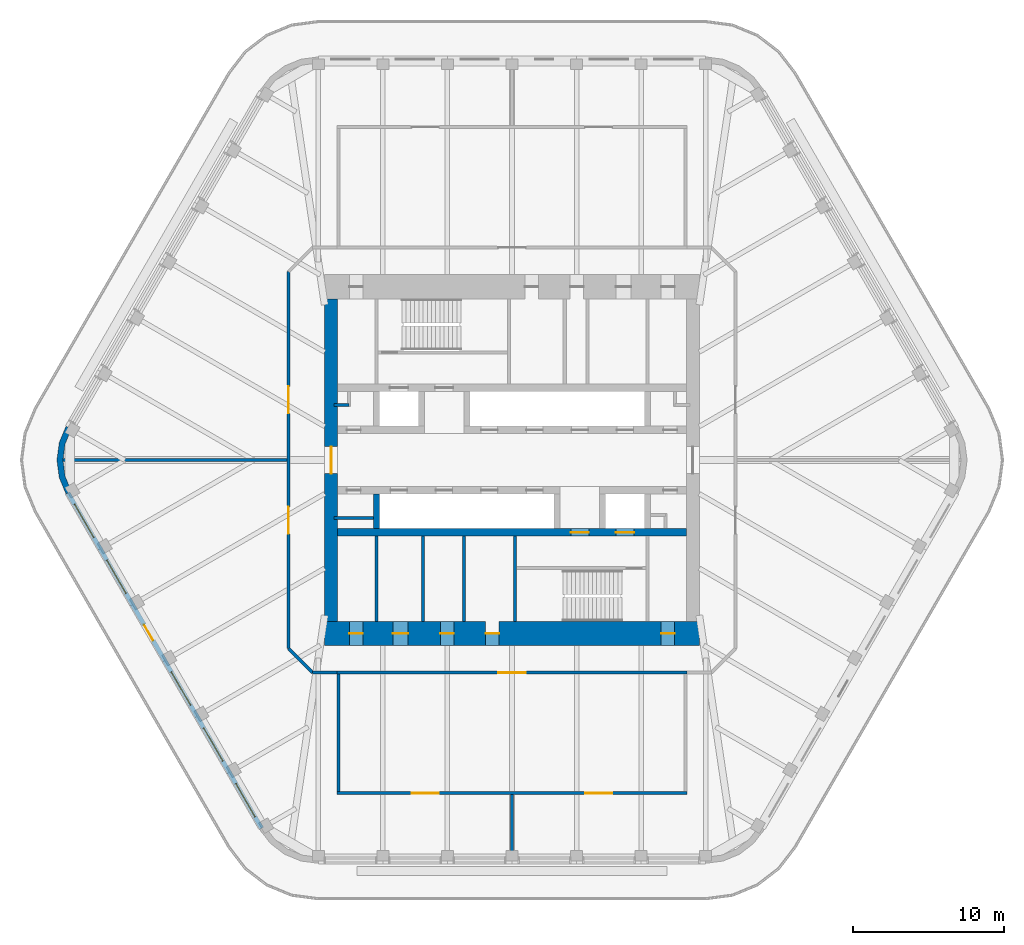
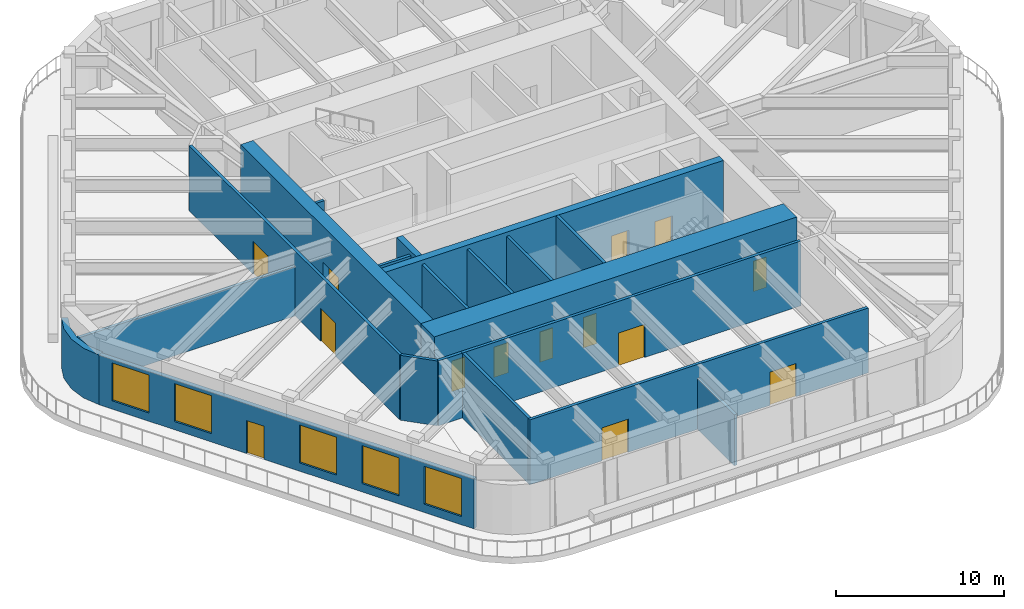
# One storey, part 7 of 13: 20 walls, 14 doors, 5 windows, 19 openings.
"""IFC4 building model written with IfcOpenShell, lengths in metres."""

from ifc_helpers import new_model, si_unit, direction, frame, frame_2d, origin, place, context, subcontext, project, spatial, polyline, rectangle, outline, extrude, material, layer, layer_set, type_object, element, fill, save


model = new_model("IFC4")

# Units and contexts
model_context = context("Model", 3, precision=1e-05, world=origin(), true_north=direction((0.0, 1.0)))
body_context = subcontext(model_context, "Body", "Model", "MODEL_VIEW")
ifc_project = project(units=[si_unit("LENGTHUNIT", "METRE"), si_unit("AREAUNIT", "SQUARE_METRE"), si_unit("VOLUMEUNIT", "CUBIC_METRE"), si_unit("PLANEANGLEUNIT", "RADIAN"), si_unit("MASSUNIT", "GRAM", prefix="KILO")], contexts=[model_context])

# Site, building, storey
site_placement = place(None, origin())
site = spatial("IfcSite", under=ifc_project, at=site_placement, CompositionType="ELEMENT")
building_placement = place(site_placement, origin())
building = spatial("IfcBuilding", under=site, at=building_placement, Name="Tarfa Lantern Tower", CompositionType="ELEMENT")
storey_placement = place(building_placement, frame((0.0, 0.0, 391.300048828125)))
storey = spatial("IfcBuildingStorey", under=building, at=storey_placement, Name="L89", CompositionType="ELEMENT", Elevation=391.300048828125)

# Wall, openings, door, windows
ifc_material_1 = material(Name="Limestone cladding on blockwork", Category="masonry")
ifc_layer_1 = layer(ifc_material_1, 0.300048828125)
ifc_layer_set_1 = layer_set([ifc_layer_1], Name="EW1 STONE-CLAD WALL 300")
wall_type_1 = type_object("IfcWallType", Name="EW1 STONE-CLAD WALL 300", PredefinedType="SOLIDWALL", material=ifc_layer_set_1)
wall_1_placement = place(storey_placement, frame((-29.459228515625, -2.175048828125, 0.0), z_axis=(0.0, 0.0, 1.0), x_axis=(0.499997191038, -0.866027025533, 0.0)))
wall_1 = element("IfcWall", 1, at=wall_1_placement, inside=storey, type_object=wall_type_1, Name="Stone wall SW", PredefinedType="SOLIDWALL", context=body_context, shape_type="SweptSolid", body=[
    extrude(rectangle(XDim=25.692138671875, YDim=0.300048828125, at=frame_2d((12.84619140625, 0.0))), origin(), (0.0, 0.0, 1.0), 3.599853515625),
])
opening_1_placement = place(wall_1_placement, frame((0.865966796875, 0.0, 0.60009765625)))
opening_1 = element("IfcOpeningElement", 2, at=opening_1_placement, cuts=wall_1, Name="Opening W18", PredefinedType="OPENING", context=body_context, shape_type="SweptSolid", body=[
    extrude(rectangle(XDim=2.550048828125, YDim=2.75, at=frame_2d((1.27490234375, 1.375))), frame((0.0, 0.159912109375, 0.0), z_axis=(0.0, -1.0, 0.0), x_axis=(1.0, 0.0, 0.0)), (0.0, 0.0, 1.0), 0.320068359375),
])
opening_2_placement = place(wall_1_placement, frame((5.14794921875, 0.0, 0.60009765625)))
opening_2 = element("IfcOpeningElement", 3, at=opening_2_placement, cuts=wall_1, Name="Opening W18", PredefinedType="OPENING", context=body_context, shape_type="SweptSolid", body=[
    extrude(rectangle(XDim=2.550048828125, YDim=2.75, at=frame_2d((1.27490234375, 1.375))), frame((0.0, 0.159912109375, 0.0), z_axis=(0.0, -1.0, 0.0), x_axis=(1.0, 0.0, 0.0)), (0.0, 0.0, 1.0), 0.320068359375),
])
opening_3_placement = place(wall_1_placement, frame((10.10498046875, 0.0, 0.0)))
opening_3 = element("IfcOpeningElement", 4, at=opening_3_placement, cuts=wall_1, Name="Opening D33", PredefinedType="OPENING", context=body_context, shape_type="SweptSolid", body=[
    extrude(rectangle(XDim=1.199951171875, YDim=2.39990234375, at=frame_2d((0.60009765625, 1.199951171875))), frame((0.0, 0.159912109375, 0.0), z_axis=(0.0, -1.0, 0.0), x_axis=(1.0, 0.0, 0.0)), (0.0, 0.0, 1.0), 0.320068359375),
])
opening_4_placement = place(wall_1_placement, frame((13.712158203125, 0.0, 0.60009765625)))
opening_4 = element("IfcOpeningElement", 5, at=opening_4_placement, cuts=wall_1, Name="Opening W18", PredefinedType="OPENING", context=body_context, shape_type="SweptSolid", body=[
    extrude(rectangle(XDim=2.550048828125, YDim=2.75, at=frame_2d((1.27490234375, 1.375))), frame((0.0, 0.159912109375, 0.0), z_axis=(0.0, -1.0, 0.0), x_axis=(1.0, 0.0, 0.0)), (0.0, 0.0, 1.0), 0.320068359375),
])
opening_5_placement = place(wall_1_placement, frame((17.994140625, 0.0, 0.60009765625)))
opening_5 = element("IfcOpeningElement", 6, at=opening_5_placement, cuts=wall_1, Name="Opening W18", PredefinedType="OPENING", context=body_context, shape_type="SweptSolid", body=[
    extrude(rectangle(XDim=2.550048828125, YDim=2.75, at=frame_2d((1.27490234375, 1.375))), frame((0.0, 0.159912109375, 0.0), z_axis=(0.0, -1.0, 0.0), x_axis=(1.0, 0.0, 0.0)), (0.0, 0.0, 1.0), 0.320068359375),
])
opening_6_placement = place(wall_1_placement, frame((22.276123046875, 0.0, 0.60009765625)))
opening_6 = element("IfcOpeningElement", 7, at=opening_6_placement, cuts=wall_1, Name="Opening W18", PredefinedType="OPENING", context=body_context, shape_type="SweptSolid", body=[
    extrude(rectangle(XDim=2.550048828125, YDim=2.75, at=frame_2d((1.27490234375, 1.375))), frame((0.0, 0.159912109375, 0.0), z_axis=(0.0, -1.0, 0.0), x_axis=(1.0, 0.0, 0.0)), (0.0, 0.0, 1.0), 0.320068359375),
])
ifc_material_2 = material(Name="Aluminium framed glazed door", Category="aluminium")
door_type_1 = type_object("IfcDoorType", Name="BE3 BALCONY DOOR 1200x2400", OperationType="SINGLE_SWING_RIGHT", PredefinedType="DOOR", material=ifc_material_2)
door_1_placement = place(opening_3_placement, origin())
door_1 = element("IfcDoor", 8, at=door_1_placement, inside=storey, type_object=door_type_1, Name="Balcony door SW", OperationType="SINGLE_SWING_RIGHT", OverallHeight=2.39990234375, OverallWidth=1.199951171875, PredefinedType="DOOR", context=body_context, shape_type="SweptSolid", body=[
    extrude(rectangle(XDim=1.199951171875, YDim=2.39990234375, at=frame_2d((0.60009765625, 1.199951171875))), frame((0.0, 0.02490234375, 0.0), z_axis=(0.0, -1.0, 0.0), x_axis=(1.0, 0.0, 0.0)), (0.0, 0.0, 1.0), 0.050048828125),
])
fill(opening_3, door_1)
ifc_material_3 = material(Name="Aluminium frame, double glazed", Category="aluminium")
window_type = type_object("IfcWindowType", Name="W18 FULL-HEIGHT GLAZING 2550x2750", PartitioningType="SINGLE_PANEL", PredefinedType="WINDOW", material=ifc_material_3)
window_1_placement = place(opening_1_placement, origin())
window_1 = element("IfcWindow", 9, at=window_1_placement, inside=storey, type_object=window_type, Name="Window SW 1", OverallHeight=2.75, OverallWidth=2.550048828125, PartitioningType="SINGLE_PANEL", PredefinedType="WINDOW", context=body_context, shape_type="SweptSolid", body=[
    extrude(rectangle(XDim=2.550048828125, YDim=2.75, at=frame_2d((1.27490234375, 1.375))), frame((0.0, 0.030029296875, 0.0), z_axis=(0.0, -1.0, 0.0), x_axis=(1.0, 0.0, 0.0)), (0.0, 0.0, 1.0), 0.06005859375),
])
fill(opening_1, window_1)
window_2_placement = place(opening_2_placement, origin())
window_2 = element("IfcWindow", 10, at=window_2_placement, inside=storey, type_object=window_type, Name="Window SW 2", OverallHeight=2.75, OverallWidth=2.550048828125, PartitioningType="SINGLE_PANEL", PredefinedType="WINDOW", context=body_context, shape_type="SweptSolid", body=[
    extrude(rectangle(XDim=2.550048828125, YDim=2.75, at=frame_2d((1.27490234375, 1.375))), frame((0.0, 0.030029296875, 0.0), z_axis=(0.0, -1.0, 0.0), x_axis=(1.0, 0.0, 0.0)), (0.0, 0.0, 1.0), 0.06005859375),
])
fill(opening_2, window_2)
window_3_placement = place(opening_4_placement, origin())
window_3 = element("IfcWindow", 11, at=window_3_placement, inside=storey, type_object=window_type, Name="Window SW 4", OverallHeight=2.75, OverallWidth=2.550048828125, PartitioningType="SINGLE_PANEL", PredefinedType="WINDOW", context=body_context, shape_type="SweptSolid", body=[
    extrude(rectangle(XDim=2.550048828125, YDim=2.75, at=frame_2d((1.27490234375, 1.375))), frame((0.0, 0.030029296875, 0.0), z_axis=(0.0, -1.0, 0.0), x_axis=(1.0, 0.0, 0.0)), (0.0, 0.0, 1.0), 0.06005859375),
])
fill(opening_4, window_3)
window_4_placement = place(opening_5_placement, origin())
window_4 = element("IfcWindow", 12, at=window_4_placement, inside=storey, type_object=window_type, Name="Window SW 5", OverallHeight=2.75, OverallWidth=2.550048828125, PartitioningType="SINGLE_PANEL", PredefinedType="WINDOW", context=body_context, shape_type="SweptSolid", body=[
    extrude(rectangle(XDim=2.550048828125, YDim=2.75, at=frame_2d((1.27490234375, 1.375))), frame((0.0, 0.030029296875, 0.0), z_axis=(0.0, -1.0, 0.0), x_axis=(1.0, 0.0, 0.0)), (0.0, 0.0, 1.0), 0.06005859375),
])
fill(opening_5, window_4)
window_5_placement = place(opening_6_placement, origin())
window_5 = element("IfcWindow", 13, at=window_5_placement, inside=storey, type_object=window_type, Name="Window SW 6", OverallHeight=2.75, OverallWidth=2.550048828125, PartitioningType="SINGLE_PANEL", PredefinedType="WINDOW", context=body_context, shape_type="SweptSolid", body=[
    extrude(rectangle(XDim=2.550048828125, YDim=2.75, at=frame_2d((1.27490234375, 1.375))), frame((0.0, 0.030029296875, 0.0), z_axis=(0.0, -1.0, 0.0), x_axis=(1.0, 0.0, 0.0)), (0.0, 0.0, 1.0), 0.06005859375),
])
fill(opening_6, window_5)

# Walls
ifc_layer_2 = layer(ifc_material_1, 0.39990234375)
ifc_layer_set_2 = layer_set([ifc_layer_2], Name="EW2 CURVED STONE CORNER 400")
wall_type_2 = type_object("IfcWallType", Name="EW2 CURVED STONE CORNER 400", PredefinedType="SOLIDWALL", material=ifc_layer_set_2)
wall_2_placement = place(storey_placement, origin())
element("IfcWall", 14, at=wall_2_placement, inside=storey, type_object=wall_type_2, Name="Stone corner NW-SW", PredefinedType="SOLIDWALL", context=body_context, shape_type="SweptSolid", body=[
    extrude(outline(polyline([(-29.589111328125, 2.25), (-30.038818359375, 1.164794921875), (-30.192138671875, 0.0), (-30.038818359375, -1.164794921875), (-29.589111328125, -2.25), (-29.24267578125, -2.050048828125), (-29.65234375, -1.061279296875), (-29.7919921875, 0.0), (-29.65234375, 1.061279296875), (-29.24267578125, 2.050048828125), (-29.589111328125, 2.25)])), origin(), (0.0, 0.0, 1.0), 3.599853515625),
])
ifc_material_4 = material(Name="Concrete blockwork", Category="masonry")
ifc_layer_3 = layer(ifc_material_4, 0.199951171875)
ifc_layer_set_3 = layer_set([ifc_layer_3], Name="IW1 BLOCKWORK PARTITION 200 EI 120")
wall_type_3 = type_object("IfcWallType", Name="IW1 BLOCKWORK PARTITION 200 EI 120", PredefinedType="PARTITIONING", material=ifc_layer_set_3)
for number, where, z_axis, x_axis, name in (
    (15, (-9.0, -5.050048828125, 0.0), (0.0, 0.0, 1.0), (0.0, -1.0, 0.0), "Core partition"),
    (16, (-3.199951171875, -5.050048828125, 0.0), (0.0, 0.0, 1.0), (0.0, -1.0, 0.0), "Core partition"),
    (17, (-5.89990234375, -5.050048828125, 0.0), (0.0, 0.0, 1.0), (0.0, -1.0, 0.0), "Core partition"),
):
    element("IfcWall", number, at=place(storey_placement, frame(where, z_axis=z_axis, x_axis=x_axis)), inside=storey, type_object=wall_type_3, Name=name, PredefinedType="PARTITIONING", context=body_context, shape_type="SweptSolid", body=[
        extrude(rectangle(XDim=5.64990234375, YDim=0.199951171875, at=frame_2d((2.824951171875, 0.0))), origin(), (0.0, 0.0, 1.0), 4.699951171875),
    ])
wall_3_placement = place(storey_placement, frame((-11.800048828125, 3.64990234375, 0.0), z_axis=(0.0, 0.0, 1.0), x_axis=(1.0, 0.0, 0.0)))
element("IfcWall", 18, at=wall_3_placement, inside=storey, type_object=wall_type_3, Name="Core partition", PredefinedType="PARTITIONING", context=body_context, shape_type="SweptSolid", body=[
    extrude(rectangle(XDim=1.0, YDim=0.199951171875, at=frame_2d((0.5, 0.0))), origin(), (0.0, 0.0, 1.0), 4.699951171875),
])
wall_4_placement = place(storey_placement, frame((-9.199951171875, -3.85009765625, 0.0), z_axis=(0.0, 0.0, 1.0), x_axis=(-1.0, 0.0, 0.0)))
element("IfcWall", 19, at=wall_4_placement, inside=storey, type_object=wall_type_3, Name="Core partition", PredefinedType="PARTITIONING", context=body_context, shape_type="SweptSolid", body=[
    extrude(rectangle(XDim=2.60009765625, YDim=0.199951171875, at=frame_2d((1.300048828125, 0.0))), origin(), (0.0, 0.0, 1.0), 4.699951171875),
])

# Wall, opening, door
ifc_material_5 = material(Name="Gypsum board on steel studs", Category="steel")
ifc_layer_4 = layer(ifc_material_5, 0.2099609375)
ifc_layer_set_4 = layer_set([ifc_layer_4], Name="IW2 ACOUSTIC PARTITION 200")
wall_type_4 = type_object("IfcWallType", Name="IW2 ACOUSTIC PARTITION 200", PredefinedType="PARTITIONING", material=ifc_layer_set_4)
wall_5_placement = place(storey_placement, frame((11.60009765625, -14.10009765625, 0.0), z_axis=(0.0, 0.0, 1.0), x_axis=(-1.0, 0.0, 0.0)))
wall_5 = element("IfcWall", 20, at=wall_5_placement, inside=storey, type_object=wall_type_4, Name="Partition", PredefinedType="PARTITIONING", context=body_context, shape_type="SweptSolid", body=[
    extrude(rectangle(XDim=23.2001953125, YDim=0.199951171875, at=frame_2d((11.60009765625, 0.0))), origin(), (0.0, 0.0, 1.0), 4.699951171875),
])
opening_7_placement = place(wall_5_placement, frame((10.699951171875, 0.0, 0.0)))
opening_7 = element("IfcOpeningElement", 21, at=opening_7_placement, cuts=wall_5, Name="Opening D22", PredefinedType="OPENING", context=body_context, shape_type="SweptSolid", body=[
    extrude(rectangle(XDim=1.800048828125, YDim=2.39990234375, at=frame_2d((0.89990234375, 1.199951171875))), frame((0.0, 0.10986328125, 0.0), z_axis=(0.0, -1.0, 0.0), x_axis=(1.0, 0.0, 0.0)), (0.0, 0.0, 1.0), 0.219970703125),
])
ifc_material_6 = material(Name="Timber door", Category="wood")
door_type_2 = type_object("IfcDoorType", Name="DR2 ROOM DOOR 1800x2400", OperationType="DOUBLE_DOOR_SINGLE_SWING", PredefinedType="DOOR", material=ifc_material_6)
door_2_placement = place(opening_7_placement, origin())
door_2 = element("IfcDoor", 22, at=door_2_placement, inside=storey, type_object=door_type_2, Name="Executive dining room door", OperationType="DOUBLE_DOOR_SINGLE_SWING", OverallHeight=2.39990234375, OverallWidth=1.800048828125, PredefinedType="DOOR", context=body_context, shape_type="SweptSolid", body=[
    extrude(rectangle(XDim=1.800048828125, YDim=2.39990234375, at=frame_2d((0.89990234375, 1.199951171875))), frame((0.0, 0.02490234375, 0.0), z_axis=(0.0, -1.0, 0.0), x_axis=(1.0, 0.0, 0.0)), (0.0, 0.0, 1.0), 0.050048828125),
])
fill(opening_7, door_2)

# Wall
wall_6_placement = place(storey_placement, frame((-11.5, -14.199951171875, 0.0), z_axis=(0.0, 0.0, 1.0), x_axis=(0.0, -1.0, 0.0)))
element("IfcWall", 23, at=wall_6_placement, inside=storey, type_object=wall_type_4, Name="Partition", PredefinedType="PARTITIONING", context=body_context, shape_type="SweptSolid", body=[
    extrude(rectangle(XDim=7.800048828125, YDim=0.199951171875, at=frame_2d((3.89990234375, 0.0))), origin(), (0.0, 0.0, 1.0), 4.699951171875),
])

# Wall, openings, doors
wall_7_placement = place(storey_placement, frame((11.60009765625, -22.10009765625, 0.0), z_axis=(0.0, 0.0, 1.0), x_axis=(-1.0, 0.0, 0.0)))
wall_7 = element("IfcWall", 24, at=wall_7_placement, inside=storey, type_object=wall_type_4, Name="Partition", PredefinedType="PARTITIONING", context=body_context, shape_type="SweptSolid", body=[
    extrude(rectangle(XDim=23.2001953125, YDim=0.199951171875, at=frame_2d((11.60009765625, 0.0))), origin(), (0.0, 0.0, 1.0), 4.699951171875),
])
opening_8_placement = place(wall_7_placement, frame((4.949951171875, 0.0, 0.0)))
opening_8 = element("IfcOpeningElement", 25, at=opening_8_placement, cuts=wall_7, Name="Opening D25", PredefinedType="OPENING", context=body_context, shape_type="SweptSolid", body=[
    extrude(rectangle(XDim=1.800048828125, YDim=2.39990234375, at=frame_2d((0.89990234375, 1.199951171875))), frame((0.0, 0.10986328125, 0.0), z_axis=(0.0, -1.0, 0.0), x_axis=(1.0, 0.0, 0.0)), (0.0, 0.0, 1.0), 0.219970703125),
])
opening_9_placement = place(wall_7_placement, frame((16.449951171875, 0.0, 0.0)))
opening_9 = element("IfcOpeningElement", 26, at=opening_9_placement, cuts=wall_7, Name="Opening D26", PredefinedType="OPENING", context=body_context, shape_type="SweptSolid", body=[
    extrude(rectangle(XDim=1.800048828125, YDim=2.39990234375, at=frame_2d((0.89990234375, 1.199951171875))), frame((0.0, 0.10986328125, 0.0), z_axis=(0.0, -1.0, 0.0), x_axis=(1.0, 0.0, 0.0)), (0.0, 0.0, 1.0), 0.219970703125),
])
door_3_placement = place(opening_8_placement, frame((1.800048828125, 0.0, 0.0), z_axis=(0.0, 0.0, 1.0), x_axis=(-1.0, 0.0, 0.0)))
door_3 = element("IfcDoor", 27, at=door_3_placement, inside=storey, type_object=door_type_2, Name="Executive dining room door", OperationType="DOUBLE_DOOR_SINGLE_SWING", OverallHeight=2.39990234375, OverallWidth=1.800048828125, PredefinedType="DOOR", context=body_context, shape_type="SweptSolid", body=[
    extrude(rectangle(XDim=1.800048828125, YDim=2.39990234375, at=frame_2d((0.89990234375, 1.199951171875))), frame((0.0, 0.02490234375, 0.0), z_axis=(0.0, -1.0, 0.0), x_axis=(1.0, 0.0, 0.0)), (0.0, 0.0, 1.0), 0.050048828125),
])
fill(opening_8, door_3)
door_4_placement = place(opening_9_placement, frame((1.800048828125, 0.0, 0.0), z_axis=(0.0, 0.0, 1.0), x_axis=(-1.0, 0.0, 0.0)))
door_4 = element("IfcDoor", 28, at=door_4_placement, inside=storey, type_object=door_type_2, Name="Executive dining room door", OperationType="DOUBLE_DOOR_SINGLE_SWING", OverallHeight=2.39990234375, OverallWidth=1.800048828125, PredefinedType="DOOR", context=body_context, shape_type="SweptSolid", body=[
    extrude(rectangle(XDim=1.800048828125, YDim=2.39990234375, at=frame_2d((0.89990234375, 1.199951171875))), frame((0.0, 0.02490234375, 0.0), z_axis=(0.0, -1.0, 0.0), x_axis=(1.0, 0.0, 0.0)), (0.0, 0.0, 1.0), 0.050048828125),
])
fill(opening_9, door_4)

# Walls
wall_8_placement = place(storey_placement, frame((-11.60009765625, -14.10009765625, 0.0), z_axis=(0.0, 0.0, 1.0), x_axis=(-1.0, 0.0, 0.0)))
element("IfcWall", 29, at=wall_8_placement, inside=storey, type_object=wall_type_4, Name="Partition", PredefinedType="PARTITIONING", context=body_context, shape_type="SweptSolid", body=[
    extrude(rectangle(XDim=1.625, YDim=0.199951171875, at=frame_2d((0.8125, 0.0))), origin(), (0.0, 0.0, 1.0), 4.699951171875),
])
wall_9_placement = place(storey_placement, frame((-13.22509765625, -14.10009765625, 0.0), z_axis=(0.0, 0.0, 1.0), x_axis=(-0.707052830339, 0.707160727918, 0.0)))
element("IfcWall", 30, at=wall_9_placement, inside=storey, type_object=wall_type_4, Name="Partition", PredefinedType="PARTITIONING", context=body_context, shape_type="SweptSolid", body=[
    extrude(rectangle(XDim=2.2626953125, YDim=0.199951171875, at=frame_2d((1.13134765625, 0.0))), origin(), (0.0, 0.0, 1.0), 4.699951171875),
])

# Wall, openings, doors
wall_10_placement = place(storey_placement, frame((-14.824951171875, -12.5, 0.0), z_axis=(0.0, 0.0, 1.0), x_axis=(0.0, 1.0, 0.0)))
wall_10 = element("IfcWall", 31, at=wall_10_placement, inside=storey, type_object=wall_type_4, Name="Partition", PredefinedType="PARTITIONING", context=body_context, shape_type="SweptSolid", body=[
    extrude(rectangle(XDim=25.0, YDim=0.199951171875, at=frame_2d((12.5, 0.0))), origin(), (0.0, 0.0, 1.0), 4.699951171875),
])
opening_10_placement = place(wall_10_placement, frame((15.60009765625, 0.0, 0.0)))
opening_10 = element("IfcOpeningElement", 32, at=opening_10_placement, cuts=wall_10, Name="Opening D28", PredefinedType="OPENING", context=body_context, shape_type="SweptSolid", body=[
    extrude(rectangle(XDim=1.800048828125, YDim=2.39990234375, at=frame_2d((0.89990234375, 1.199951171875))), frame((0.0, 0.10986328125, 0.0), z_axis=(0.0, -1.0, 0.0), x_axis=(1.0, 0.0, 0.0)), (0.0, 0.0, 1.0), 0.219970703125),
])
opening_11_placement = place(wall_10_placement, frame((7.60009765625, 0.0, 0.0)))
opening_11 = element("IfcOpeningElement", 33, at=opening_11_placement, cuts=wall_10, Name="Opening D30", PredefinedType="OPENING", context=body_context, shape_type="SweptSolid", body=[
    extrude(rectangle(XDim=1.800048828125, YDim=2.39990234375, at=frame_2d((0.89990234375, 1.199951171875))), frame((0.0, 0.10986328125, 0.0), z_axis=(0.0, -1.0, 0.0), x_axis=(1.0, 0.0, 0.0)), (0.0, 0.0, 1.0), 0.219970703125),
])
door_5_placement = place(opening_10_placement, origin())
door_5 = element("IfcDoor", 34, at=door_5_placement, inside=storey, type_object=door_type_2, Name="Board support office north-west door", OperationType="DOUBLE_DOOR_SINGLE_SWING", OverallHeight=2.39990234375, OverallWidth=1.800048828125, PredefinedType="DOOR", context=body_context, shape_type="SweptSolid", body=[
    extrude(rectangle(XDim=1.800048828125, YDim=2.39990234375, at=frame_2d((0.89990234375, 1.199951171875))), frame((0.0, 0.02490234375, 0.0), z_axis=(0.0, -1.0, 0.0), x_axis=(1.0, 0.0, 0.0)), (0.0, 0.0, 1.0), 0.050048828125),
])
fill(opening_10, door_5)
door_6_placement = place(opening_11_placement, origin())
door_6 = element("IfcDoor", 35, at=door_6_placement, inside=storey, type_object=door_type_2, Name="Board support office south-west door", OperationType="DOUBLE_DOOR_SINGLE_SWING", OverallHeight=2.39990234375, OverallWidth=1.800048828125, PredefinedType="DOOR", context=body_context, shape_type="SweptSolid", body=[
    extrude(rectangle(XDim=1.800048828125, YDim=2.39990234375, at=frame_2d((0.89990234375, 1.199951171875))), frame((0.0, 0.02490234375, 0.0), z_axis=(0.0, -1.0, 0.0), x_axis=(1.0, 0.0, 0.0)), (0.0, 0.0, 1.0), 0.050048828125),
])
fill(opening_11, door_6)

# Walls
wall_11_placement = place(storey_placement, frame((0.0, -22.199951171875, 0.0), z_axis=(0.0, 0.0, 1.0), x_axis=(0.0, -1.0, 0.0)))
element("IfcWall", 36, at=wall_11_placement, inside=storey, type_object=wall_type_4, Name="Partition", PredefinedType="PARTITIONING", context=body_context, shape_type="SweptSolid", body=[
    extrude(rectangle(XDim=4.360107421875, YDim=0.199951171875, at=frame_2d((2.18017578125, 0.0))), origin(), (0.0, 0.0, 1.0), 3.69189453125),
])
wall_12_placement = place(storey_placement, frame((-14.925048828125, 0.0, 0.0), z_axis=(0.0, 0.0, 1.0), x_axis=(-1.0, 0.0, 0.0)))
element("IfcWall", 37, at=wall_12_placement, inside=storey, type_object=wall_type_4, Name="Partition", PredefinedType="PARTITIONING", context=body_context, shape_type="SweptSolid", body=[
    extrude(rectangle(XDim=14.85400390625, YDim=0.199951171875, at=frame_2d((7.427001953125, 0.0))), origin(), (0.0, 0.0, 1.0), 3.599853515625),
])
ifc_material_7 = material(Name="Concrete C80/95", Category="concrete")
ifc_layer_5 = layer(ifc_material_7, 0.199951171875)
ifc_layer_set_5 = layer_set([ifc_layer_5], Name="SW12 CORE WALL 200")
wall_type_5 = type_object("IfcWallType", Name="SW12 CORE WALL 200", PredefinedType="SHEAR", material=ifc_layer_set_5)
wall_13_placement = place(storey_placement, frame((0.199951171875, -5.050048828125, 0.0), z_axis=(0.0, 0.0, 1.0), x_axis=(0.0, -1.0, 0.0)))
element("IfcWall", 38, at=wall_13_placement, inside=storey, type_object=wall_type_5, Name="Core wall stair shaft S", PredefinedType="SHEAR", context=body_context, shape_type="SweptSolid", body=[
    extrude(rectangle(XDim=5.64990234375, YDim=0.199951171875, at=frame_2d((2.824951171875, 0.0))), origin(), (0.0, 0.0, 1.0), 5.0),
])

# Wall, opening, door
ifc_layer_6 = layer(ifc_material_7, 0.85009765625)
ifc_layer_set_6 = layer_set([ifc_layer_6], Name="SW3 CORE WALL 850")
wall_type_6 = type_object("IfcWallType", Name="SW3 CORE WALL 850", PredefinedType="SHEAR", material=ifc_layer_set_6)
wall_14_placement = place(storey_placement, frame((-12.0, 10.699951171875, 0.0), z_axis=(0.0, 0.0, 1.0), x_axis=(0.0, -1.0, 0.0)))
wall_14 = element("IfcWall", 39, at=wall_14_placement, inside=storey, type_object=wall_type_6, Name="Core wall W", PredefinedType="SHEAR", context=body_context, shape_type="SweptSolid", body=[
    extrude(rectangle(XDim=21.39990234375, YDim=0.85009765625, at=frame_2d((10.699951171875, 0.0))), origin(), (0.0, 0.0, 1.0), 5.0),
])
opening_12_placement = place(wall_14_placement, frame((9.800048828125, 0.0, 0.0)))
opening_12 = element("IfcOpeningElement", 40, at=opening_12_placement, cuts=wall_14, Name="Opening D08", PredefinedType="OPENING", context=body_context, shape_type="SweptSolid", body=[
    extrude(rectangle(XDim=1.800048828125, YDim=2.39990234375, at=frame_2d((0.89990234375, 1.199951171875))), frame((0.0, 0.43505859375, 0.0), z_axis=(0.0, -1.0, 0.0), x_axis=(1.0, 0.0, 0.0)), (0.0, 0.0, 1.0), 0.8701171875),
])
ifc_material_8 = material(Name="Steel fire door", Category="steel")
door_type_3 = type_object("IfcDoorType", Name="DL1 LOBBY DOOR 1800x2400", OperationType="DOUBLE_DOOR_SINGLE_SWING", PredefinedType="DOOR", material=ifc_material_8)
door_7_placement = place(opening_12_placement, frame((1.800048828125, 0.0, 0.0), z_axis=(0.0, 0.0, 1.0), x_axis=(-1.0, 0.0, 0.0)))
door_7 = element("IfcDoor", 41, at=door_7_placement, inside=storey, type_object=door_type_3, Name="Lift lobby door", OperationType="DOUBLE_DOOR_SINGLE_SWING", OverallHeight=2.39990234375, OverallWidth=1.800048828125, PredefinedType="DOOR", context=body_context, shape_type="SweptSolid", body=[
    extrude(rectangle(XDim=1.800048828125, YDim=2.39990234375, at=frame_2d((0.89990234375, 1.199951171875))), frame((0.0, 0.02490234375, 0.0), z_axis=(0.0, -1.0, 0.0), x_axis=(1.0, 0.0, 0.0)), (0.0, 0.0, 1.0), 0.050048828125),
])
fill(opening_12, door_7)

# Wall, openings, doors
ifc_layer_7 = layer(ifc_material_7, 0.5)
ifc_layer_set_7 = layer_set([ifc_layer_7], Name="SW5 CORE WALL 500")
wall_type_7 = type_object("IfcWallType", Name="SW5 CORE WALL 500", PredefinedType="SHEAR", material=ifc_layer_set_7)
wall_15_placement = place(storey_placement, frame((11.574951171875, -4.800048828125, 0.0), z_axis=(0.0, 0.0, 1.0), x_axis=(-1.0, 0.0, 0.0)))
wall_15 = element("IfcWall", 42, at=wall_15_placement, inside=storey, type_object=wall_type_7, Name="Core wall rear S", PredefinedType="SHEAR", context=body_context, shape_type="SweptSolid", body=[
    extrude(rectangle(XDim=23.14990234375, YDim=0.5, at=frame_2d((11.574951171875, 0.0))), origin(), (0.0, 0.0, 1.0), 5.0),
])
opening_13_placement = place(wall_15_placement, frame((6.47509765625, 0.0, 0.0)))
opening_13 = element("IfcOpeningElement", 43, at=opening_13_placement, cuts=wall_15, Name="Opening D06", PredefinedType="OPENING", context=body_context, shape_type="SweptSolid", body=[
    extrude(rectangle(XDim=1.199951171875, YDim=2.199951171875, at=frame_2d((0.60009765625, 1.10009765625))), frame((0.0, 0.260009765625, 0.0), z_axis=(0.0, -1.0, 0.0), x_axis=(1.0, 0.0, 0.0)), (0.0, 0.0, 1.0), 0.52001953125),
])
opening_14_placement = place(wall_15_placement, frame((3.47509765625, 0.0, 0.0)))
opening_14 = element("IfcOpeningElement", 44, at=opening_14_placement, cuts=wall_15, Name="Opening LD02", PredefinedType="OPENING", context=body_context, shape_type="SweptSolid", body=[
    extrude(rectangle(XDim=1.199951171875, YDim=2.199951171875, at=frame_2d((0.60009765625, 1.10009765625))), frame((0.0, 0.260009765625, 0.0), z_axis=(0.0, -1.0, 0.0), x_axis=(1.0, 0.0, 0.0)), (0.0, 0.0, 1.0), 0.52001953125),
])
door_type_4 = type_object("IfcDoorType", Name="DF1 FIREFIGHTING LOBBY DOOR 1200x2200", OperationType="SINGLE_SWING_LEFT", PredefinedType="DOOR", material=ifc_material_8)
door_8_placement = place(opening_13_placement, origin())
door_8 = element("IfcDoor", 45, at=door_8_placement, inside=storey, type_object=door_type_4, Name="Firefighting lobby door", OperationType="SINGLE_SWING_LEFT", OverallHeight=2.199951171875, OverallWidth=1.199951171875, PredefinedType="DOOR", context=body_context, shape_type="SweptSolid", body=[
    extrude(rectangle(XDim=1.199951171875, YDim=2.199951171875, at=frame_2d((0.60009765625, 1.10009765625))), frame((0.0, 0.02490234375, 0.0), z_axis=(0.0, -1.0, 0.0), x_axis=(1.0, 0.0, 0.0)), (0.0, 0.0, 1.0), 0.050048828125),
])
fill(opening_13, door_8)
ifc_material_9 = material(Name="Stainless steel lift door", Category="steel")
door_type_5 = type_object("IfcDoorType", Name="LD1 LIFT LANDING DOOR 1200x2200", OperationType="SLIDING_TO_LEFT", PredefinedType="DOOR", material=ifc_material_9)
door_9_placement = place(opening_14_placement, origin())
door_9 = element("IfcDoor", 46, at=door_9_placement, inside=storey, type_object=door_type_5, Name="Landing door FL2", OperationType="SLIDING_TO_LEFT", OverallHeight=2.199951171875, OverallWidth=1.199951171875, PredefinedType="DOOR", context=body_context, shape_type="SweptSolid", body=[
    extrude(rectangle(XDim=1.199951171875, YDim=2.199951171875, at=frame_2d((0.60009765625, 1.10009765625))), frame((0.0, 0.02490234375, 0.0), z_axis=(0.0, -1.0, 0.0), x_axis=(1.0, 0.0, 0.0)), (0.0, 0.0, 1.0), 0.050048828125),
])
fill(opening_14, door_9)

# Wall
ifc_layer_8 = layer(ifc_material_7, 0.39990234375)
ifc_layer_set_8 = layer_set([ifc_layer_8], Name="SW6 CORE WALL 400")
wall_type_8 = type_object("IfcWallType", Name="SW6 CORE WALL 400", PredefinedType="SHEAR", material=ifc_layer_set_8)
wall_16_placement = place(storey_placement, frame((-9.0, -2.25, 0.0), z_axis=(0.0, 0.0, 1.0), x_axis=(0.0, -1.0, 0.0)))
element("IfcWall", 47, at=wall_16_placement, inside=storey, type_object=wall_type_8, Name="Core wall divider S", PredefinedType="SHEAR", context=body_context, shape_type="SweptSolid", body=[
    extrude(rectangle(XDim=2.300048828125, YDim=0.39990234375, at=frame_2d((1.14990234375, 0.0))), origin(), (0.0, 0.0, 1.0), 5.0),
])

# Wall, openings, doors
ifc_layer_9 = layer(ifc_material_7, 1.60009765625)
ifc_layer_set_9 = layer_set([ifc_layer_9], Name="SW7 CORE WALL 1600")
wall_type_9 = type_object("IfcWallType", Name="SW7 CORE WALL 1600", PredefinedType="SHEAR", material=ifc_layer_set_9)
wall_17_placement = place(storey_placement, frame((12.425048828125, -11.5, 0.0), z_axis=(0.0, 0.0, 1.0), x_axis=(-1.0, 0.0, 0.0)))
wall_17 = element("IfcWall", 48, at=wall_17_placement, inside=storey, type_object=wall_type_9, Name="Core wall S", PredefinedType="SHEAR", context=body_context, shape_type="SweptSolid", body=[
    extrude(rectangle(XDim=24.85009765625, YDim=1.60009765625, at=frame_2d((12.425048828125, 0.0))), origin(), (0.0, 0.0, 1.0), 5.0),
])
opening_15_placement = place(wall_17_placement, frame((13.27490234375, 0.0, 0.0)))
opening_15 = element("IfcOpeningElement", 49, at=opening_15_placement, cuts=wall_17, Name="Opening D14", PredefinedType="OPENING", context=body_context, shape_type="SweptSolid", body=[
    extrude(rectangle(XDim=0.89990234375, YDim=2.199951171875, at=frame_2d((0.449951171875, 1.10009765625))), frame((0.0, 0.81005859375, 0.0), z_axis=(0.0, -1.0, 0.0), x_axis=(1.0, 0.0, 0.0)), (0.0, 0.0, 1.0), 1.6201171875),
])
opening_16_placement = place(wall_17_placement, frame((16.27490234375, 0.0, 0.0)))
opening_16 = element("IfcOpeningElement", 50, at=opening_16_placement, cuts=wall_17, Name="Opening D16", PredefinedType="OPENING", context=body_context, shape_type="SweptSolid", body=[
    extrude(rectangle(XDim=0.89990234375, YDim=2.199951171875, at=frame_2d((0.449951171875, 1.10009765625))), frame((0.0, 0.81005859375, 0.0), z_axis=(0.0, -1.0, 0.0), x_axis=(1.0, 0.0, 0.0)), (0.0, 0.0, 1.0), 1.6201171875),
])
opening_17_placement = place(wall_17_placement, frame((19.324951171875, 0.0, 0.0)))
opening_17 = element("IfcOpeningElement", 51, at=opening_17_placement, cuts=wall_17, Name="Opening D18", PredefinedType="OPENING", context=body_context, shape_type="SweptSolid", body=[
    extrude(rectangle(XDim=1.0, YDim=2.199951171875, at=frame_2d((0.5, 1.10009765625))), frame((0.0, 0.81005859375, 0.0), z_axis=(0.0, -1.0, 0.0), x_axis=(1.0, 0.0, 0.0)), (0.0, 0.0, 1.0), 1.6201171875),
])
opening_18_placement = place(wall_17_placement, frame((1.637451171875, 0.0, 0.0)))
opening_18 = element("IfcOpeningElement", 52, at=opening_18_placement, cuts=wall_17, Name="Opening D04", PredefinedType="OPENING", context=body_context, shape_type="SweptSolid", body=[
    extrude(rectangle(XDim=0.89990234375, YDim=2.199951171875, at=frame_2d((0.449951171875, 1.10009765625))), frame((0.0, 0.81005859375, 0.0), z_axis=(0.0, -1.0, 0.0), x_axis=(1.0, 0.0, 0.0)), (0.0, 0.0, 1.0), 1.6201171875),
])
opening_19_placement = place(wall_17_placement, frame((22.3125, 0.0, 0.0)))
opening_19 = element("IfcOpeningElement", 53, at=opening_19_placement, cuts=wall_17, Name="Opening D02", PredefinedType="OPENING", context=body_context, shape_type="SweptSolid", body=[
    extrude(rectangle(XDim=0.89990234375, YDim=2.199951171875, at=frame_2d((0.449951171875, 1.10009765625))), frame((0.0, 0.81005859375, 0.0), z_axis=(0.0, -1.0, 0.0), x_axis=(1.0, 0.0, 0.0)), (0.0, 0.0, 1.0), 1.6201171875),
])
door_type_6 = type_object("IfcDoorType", Name="DF3 CORE ROOM DOOR 900x2200", OperationType="SINGLE_SWING_LEFT", PredefinedType="DOOR", material=ifc_material_8)
door_10_placement = place(opening_15_placement, frame((0.89990234375, 0.0, 0.0), z_axis=(0.0, 0.0, 1.0), x_axis=(-1.0, 0.0, 0.0)))
door_10 = element("IfcDoor", 54, at=door_10_placement, inside=storey, type_object=door_type_6, Name="Core door", OperationType="SINGLE_SWING_LEFT", OverallHeight=2.199951171875, OverallWidth=0.89990234375, PredefinedType="DOOR", context=body_context, shape_type="SweptSolid", body=[
    extrude(rectangle(XDim=0.89990234375, YDim=2.199951171875, at=frame_2d((0.449951171875, 1.10009765625))), frame((0.0, 0.02490234375, 0.0), z_axis=(0.0, -1.0, 0.0), x_axis=(1.0, 0.0, 0.0)), (0.0, 0.0, 1.0), 0.050048828125),
])
fill(opening_15, door_10)
door_11_placement = place(opening_16_placement, frame((0.89990234375, 0.0, 0.0), z_axis=(0.0, 0.0, 1.0), x_axis=(-1.0, 0.0, 0.0)))
door_11 = element("IfcDoor", 55, at=door_11_placement, inside=storey, type_object=door_type_6, Name="Core door", OperationType="SINGLE_SWING_LEFT", OverallHeight=2.199951171875, OverallWidth=0.89990234375, PredefinedType="DOOR", context=body_context, shape_type="SweptSolid", body=[
    extrude(rectangle(XDim=0.89990234375, YDim=2.199951171875, at=frame_2d((0.449951171875, 1.10009765625))), frame((0.0, 0.02490234375, 0.0), z_axis=(0.0, -1.0, 0.0), x_axis=(1.0, 0.0, 0.0)), (0.0, 0.0, 1.0), 0.050048828125),
])
fill(opening_16, door_11)
door_type_7 = type_object("IfcDoorType", Name="DF4 CORE ROOM DOOR 1000x2200", OperationType="SINGLE_SWING_LEFT", PredefinedType="DOOR", material=ifc_material_8)
door_12_placement = place(opening_17_placement, frame((1.0, 0.0, 0.0), z_axis=(0.0, 0.0, 1.0), x_axis=(-1.0, 0.0, 0.0)))
door_12 = element("IfcDoor", 56, at=door_12_placement, inside=storey, type_object=door_type_7, Name="Core door", OperationType="SINGLE_SWING_LEFT", OverallHeight=2.199951171875, OverallWidth=1.0, PredefinedType="DOOR", context=body_context, shape_type="SweptSolid", body=[
    extrude(rectangle(XDim=1.0, YDim=2.199951171875, at=frame_2d((0.5, 1.10009765625))), frame((0.0, 0.02490234375, 0.0), z_axis=(0.0, -1.0, 0.0), x_axis=(1.0, 0.0, 0.0)), (0.0, 0.0, 1.0), 0.050048828125),
])
fill(opening_17, door_12)
door_type_8 = type_object("IfcDoorType", Name="DF5 RISER DOOR 900x2200", OperationType="SINGLE_SWING_LEFT", PredefinedType="DOOR", material=ifc_material_8)
door_13_placement = place(opening_18_placement, frame((0.89990234375, 0.0, 0.0), z_axis=(0.0, 0.0, 1.0), x_axis=(-1.0, 0.0, 0.0)))
door_13 = element("IfcDoor", 57, at=door_13_placement, inside=storey, type_object=door_type_8, Name="Riser door", OperationType="SINGLE_SWING_LEFT", OverallHeight=2.199951171875, OverallWidth=0.89990234375, PredefinedType="DOOR", context=body_context, shape_type="SweptSolid", body=[
    extrude(rectangle(XDim=0.89990234375, YDim=2.199951171875, at=frame_2d((0.449951171875, 1.10009765625))), frame((0.0, 0.02490234375, 0.0), z_axis=(0.0, -1.0, 0.0), x_axis=(1.0, 0.0, 0.0)), (0.0, 0.0, 1.0), 0.050048828125),
])
fill(opening_18, door_13)
door_14_placement = place(opening_19_placement, frame((0.89990234375, 0.0, 0.0), z_axis=(0.0, 0.0, 1.0), x_axis=(-1.0, 0.0, 0.0)))
door_14 = element("IfcDoor", 58, at=door_14_placement, inside=storey, type_object=door_type_8, Name="Riser door", OperationType="SINGLE_SWING_RIGHT", OverallHeight=2.199951171875, OverallWidth=0.89990234375, PredefinedType="DOOR", context=body_context, shape_type="SweptSolid", body=[
    extrude(rectangle(XDim=0.89990234375, YDim=2.199951171875, at=frame_2d((0.449951171875, 1.10009765625))), frame((0.0, 0.02490234375, 0.0), z_axis=(0.0, -1.0, 0.0), x_axis=(1.0, 0.0, 0.0)), (0.0, 0.0, 1.0), 0.050048828125),
])
fill(opening_19, door_14)

save(model, "model.ifc")
